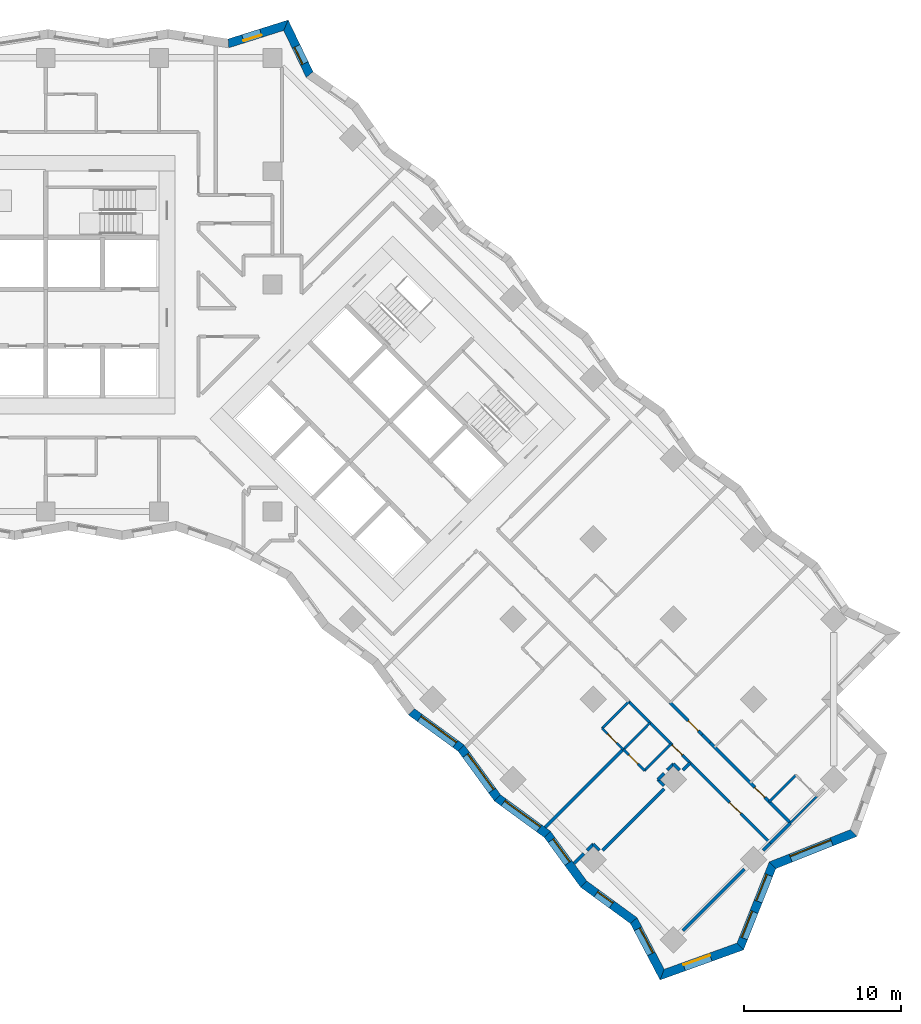
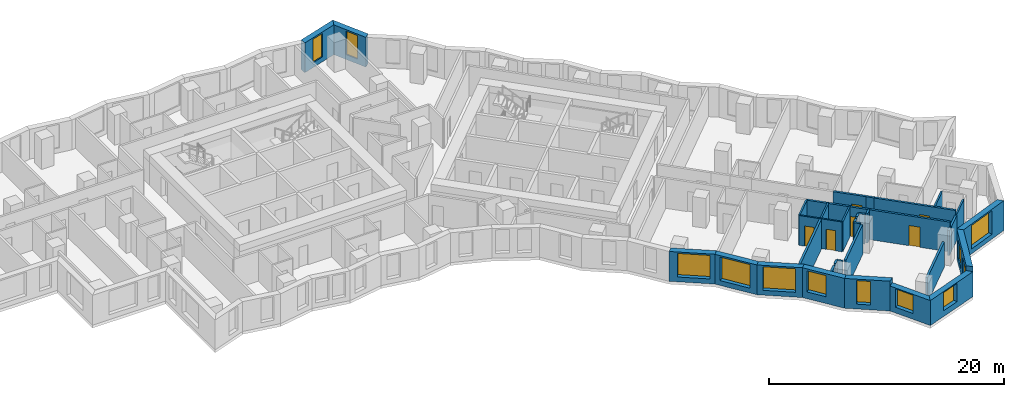
# One storey, part 7 of 12: 35 walls, 12 windows, 6 doors, 18 openings.
"""IFC4 building model written with IfcOpenShell, lengths in metres."""

from ifc_helpers import new_model, si_unit, direction, frame, frame_2d, origin, place, context, subcontext, project, spatial, polyline, rectangle, outline, extrude, material, layer, layer_set, type_object, element, fill, save


model = new_model("IFC4")

# Units and contexts
model_context = context("Model", 3, precision=1e-05, world=origin(), true_north=direction((0.0, 1.0)))
body_context = subcontext(model_context, "Body", "Model", "MODEL_VIEW")
ifc_project = project(units=[si_unit("LENGTHUNIT", "METRE"), si_unit("AREAUNIT", "SQUARE_METRE"), si_unit("VOLUMEUNIT", "CUBIC_METRE"), si_unit("PLANEANGLEUNIT", "RADIAN"), si_unit("MASSUNIT", "GRAM", prefix="KILO")], contexts=[model_context])

# Site, building, storey
site_placement = place(None, origin())
site = spatial("IfcSite", under=ifc_project, at=site_placement, CompositionType="ELEMENT")
building_placement = place(site_placement, origin())
building = spatial("IfcBuilding", under=site, at=building_placement, Name="Windrow Commons", CompositionType="ELEMENT")
storey_placement = place(building_placement, frame((0.0, 0.0, 61.0)))
storey = spatial("IfcBuildingStorey", under=building, at=storey_placement, Name="L16", CompositionType="ELEMENT", Elevation=61.0)

# Wall, opening, window
ifc_material_1 = material(Name="Brick masonry, red clay brick", Category="masonry")
ifc_layer_1 = layer(ifc_material_1, 0.55)
ifc_layer_set_1 = layer_set([ifc_layer_1], Name="Brick facade wall 550")
wall_type_1 = type_object("IfcWallType", Name="Brick facade wall 550", PredefinedType="SOLIDWALL", material=ifc_layer_set_1)
wall_1_placement = place(storey_placement, frame((103.9372, 13.7893, 0.0), z_axis=(0.0, 0.0, 1.0), x_axis=(0.9408704904, 0.3387664688, 0.0)))
wall_1 = element("IfcWall", 1, at=wall_1_placement, inside=storey, type_object=wall_type_1, Name="Brick facade wall L16 1", PredefinedType="SOLIDWALL", context=body_context, shape_type="SweptSolid", body=[
    extrude(outline(polyline([(-0.2394, -0.275), (5.3978, -0.275), (5.1499, 0.275), (0.2394, 0.275), (-0.2394, -0.275)])), origin(), (0.0, 0.0, 1.0), 2.6),
])
opening_1_placement = place(wall_1_placement, frame((1.4788, 0.0, 0.6)))
opening_1 = element("IfcOpeningElement", 2, at=opening_1_placement, cuts=wall_1, Name="Opening W1L", PredefinedType="OPENING", context=body_context, shape_type="SweptSolid", body=[
    extrude(rectangle(XDim=1.8, YDim=1.9, at=frame_2d((0.9, 0.95))), frame((0.0, 0.285, 0.0), z_axis=(0.0, -1.0, 0.0), x_axis=(1.0, 0.0, 0.0)), (0.0, 0.0, 1.0), 0.57),
])
ifc_material_2 = material(Name="Clear float glass in anodised aluminium frame", Category="aluminium")
window_type_1 = type_object("IfcWindowType", Name="Window W1L bedroom 1800x1900", PartitioningType="SINGLE_PANEL", PredefinedType="WINDOW", material=ifc_material_2)
window_1_placement = place(opening_1_placement, origin())
window_1 = element("IfcWindow", 3, at=window_1_placement, inside=storey, type_object=window_type_1, Name="Window L16 1.1", OverallHeight=1.9, OverallWidth=1.8, PartitioningType="SINGLE_PANEL", PredefinedType="WINDOW", context=body_context, shape_type="SweptSolid", body=[
    extrude(rectangle(XDim=1.8, YDim=1.9, at=frame_2d((0.9, 0.95))), frame((0.0, 0.155, 0.0), z_axis=(0.0, -1.0, 0.0), x_axis=(1.0, 0.0, 0.0)), (0.0, 0.0, 1.0), 0.06),
])
fill(opening_1, window_1)

# Wall, openings, windows
wall_2_placement = place(storey_placement, frame((108.8992, 15.5759, 0.0), z_axis=(0.0, 0.0, 1.0), x_axis=(0.3692522262, 0.9293292169, 0.0)))
wall_2 = element("IfcWall", 4, at=wall_2_placement, inside=storey, type_object=wall_type_1, Name="Brick facade wall L16 2", PredefinedType="SOLIDWALL", context=body_context, shape_type="SweptSolid", body=[
    extrude(outline(polyline([(-0.124, -0.275), (5.431, -0.275), (5.6682, 0.275), (0.124, 0.275), (-0.124, -0.275)])), origin(), (0.0, 0.0, 1.0), 3.1),
])
opening_2_placement = place(wall_2_placement, frame((0.5662, 0.0, 0.6)))
opening_2 = element("IfcOpeningElement", 5, at=opening_2_placement, cuts=wall_2, Name="Opening W1L", PredefinedType="OPENING", context=body_context, shape_type="SweptSolid", body=[
    extrude(rectangle(XDim=1.8, YDim=1.9, at=frame_2d((0.9, 0.95))), frame((0.0, 0.285, 0.0), z_axis=(0.0, -1.0, 0.0), x_axis=(1.0, 0.0, 0.0)), (0.0, 0.0, 1.0), 0.57),
])
opening_3_placement = place(wall_2_placement, frame((3.079, 0.0, 0.6)))
opening_3 = element("IfcOpeningElement", 6, at=opening_3_placement, cuts=wall_2, Name="Opening W1L", PredefinedType="OPENING", context=body_context, shape_type="SweptSolid", body=[
    extrude(rectangle(XDim=1.8, YDim=1.9, at=frame_2d((0.9, 0.95))), frame((0.0, 0.285, 0.0), z_axis=(0.0, -1.0, 0.0), x_axis=(1.0, 0.0, 0.0)), (0.0, 0.0, 1.0), 0.57),
])
window_2_placement = place(opening_2_placement, origin())
window_2 = element("IfcWindow", 7, at=window_2_placement, inside=storey, type_object=window_type_1, Name="Window L16 2.1", OverallHeight=1.9, OverallWidth=1.8, PartitioningType="SINGLE_PANEL", PredefinedType="WINDOW", context=body_context, shape_type="SweptSolid", body=[
    extrude(rectangle(XDim=1.8, YDim=1.9, at=frame_2d((0.9, 0.95))), frame((0.0, 0.155, 0.0), z_axis=(0.0, -1.0, 0.0), x_axis=(1.0, 0.0, 0.0)), (0.0, 0.0, 1.0), 0.06),
])
fill(opening_2, window_2)
window_3_placement = place(opening_3_placement, origin())
window_3 = element("IfcWindow", 8, at=window_3_placement, inside=storey, type_object=window_type_1, Name="Window L16 2.2", OverallHeight=1.9, OverallWidth=1.8, PartitioningType="SINGLE_PANEL", PredefinedType="WINDOW", context=body_context, shape_type="SweptSolid", body=[
    extrude(rectangle(XDim=1.8, YDim=1.9, at=frame_2d((0.9, 0.95))), frame((0.0, 0.155, 0.0), z_axis=(0.0, -1.0, 0.0), x_axis=(1.0, 0.0, 0.0)), (0.0, 0.0, 1.0), 0.06),
])
fill(opening_3, window_3)

# Wall, opening, window
wall_3_placement = place(storey_placement, frame((110.9484, 20.7333, 0.0), z_axis=(0.0, 0.0, 1.0), x_axis=(0.9293292169, 0.3692522262, 0.0)))
wall_3 = element("IfcWall", 9, at=wall_3_placement, inside=storey, type_object=wall_type_1, Name="Brick facade wall L16 3", PredefinedType="SOLIDWALL", context=body_context, shape_type="SweptSolid", body=[
    extrude(outline(polyline([(0.1186, -0.275), (5.6736, -0.275), (5.4257, 0.275), (-0.1186, 0.275), (0.1186, -0.275)])), origin(), (0.0, 0.0, 1.0), 3.1),
])
opening_4_placement = place(wall_3_placement, frame((1.238, 0.0, 0.5)))
opening_4 = element("IfcOpeningElement", 10, at=opening_4_placement, cuts=wall_3, Name="Opening W1T", PredefinedType="OPENING", context=body_context, shape_type="SweptSolid", body=[
    extrude(rectangle(XDim=2.8, YDim=2.45, at=frame_2d((1.4, 1.225))), frame((0.0, 0.285, 0.0), z_axis=(0.0, -1.0, 0.0), x_axis=(1.0, 0.0, 0.0)), (0.0, 0.0, 1.0), 0.57),
])
ifc_material_3 = material(Name="Clear float glass in anodised aluminium frame", Category="aluminium")
window_type_2 = type_object("IfcWindowType", Name="Window W1T bedroom 2800x2450", PartitioningType="SINGLE_PANEL", PredefinedType="WINDOW", material=ifc_material_3)
window_4_placement = place(opening_4_placement, origin())
window_4 = element("IfcWindow", 11, at=window_4_placement, inside=storey, type_object=window_type_2, Name="Window L16 3.1", OverallHeight=2.45, OverallWidth=2.8, PartitioningType="SINGLE_PANEL", PredefinedType="WINDOW", context=body_context, shape_type="SweptSolid", body=[
    extrude(rectangle(XDim=2.8, YDim=2.45, at=frame_2d((1.4, 1.225))), frame((0.0, 0.155, 0.0), z_axis=(0.0, -1.0, 0.0), x_axis=(1.0, 0.0, 0.0)), (0.0, 0.0, 1.0), 0.06),
])
fill(opening_4, window_4)

wall_4_placement = place(storey_placement, frame((81.5586, 70.9379, 0.0), z_axis=(0.0, 0.0, 1.0), x_axis=(-0.4338121581, 0.901003336, 0.0)))
wall_4 = element("IfcWall", 12, at=wall_4_placement, inside=storey, type_object=wall_type_1, Name="Brick facade wall L16 22", PredefinedType="SOLIDWALL", context=body_context, shape_type="SweptSolid", body=[
    extrude(outline(polyline([(0.0717, -0.275), (3.7134, -0.275), (3.2369, 0.275), (-0.0717, 0.275), (0.0717, -0.275)])), origin(), (0.0, 0.0, 1.0), 3.1),
])
opening_5_placement = place(wall_4_placement, frame((0.7813, 0.0, 0.5)))
opening_5 = element("IfcOpeningElement", 13, at=opening_5_placement, cuts=wall_4, Name="Opening W7D", PredefinedType="OPENING", context=body_context, shape_type="SweptSolid", body=[
    extrude(rectangle(XDim=1.2, YDim=2.45, at=frame_2d((0.6, 1.225))), frame((0.0, 0.285, 0.0), z_axis=(0.0, -1.0, 0.0), x_axis=(1.0, 0.0, 0.0)), (0.0, 0.0, 1.0), 0.57),
])
ifc_material_4 = material(Name="Clear float glass in anodised aluminium frame", Category="aluminium")
window_type_3 = type_object("IfcWindowType", Name="Window W7 notch 1200x2450", PartitioningType="SINGLE_PANEL", PredefinedType="WINDOW", material=ifc_material_4)
window_5_placement = place(opening_5_placement, origin())
window_5 = element("IfcWindow", 14, at=window_5_placement, inside=storey, type_object=window_type_3, Name="Window L16 22.1", OverallHeight=2.45, OverallWidth=1.2, PartitioningType="SINGLE_PANEL", PredefinedType="WINDOW", context=body_context, shape_type="SweptSolid", body=[
    extrude(rectangle(XDim=1.2, YDim=2.45, at=frame_2d((0.6, 1.225))), frame((0.0, 0.155, 0.0), z_axis=(0.0, -1.0, 0.0), x_axis=(1.0, 0.0, 0.0)), (0.0, 0.0, 1.0), 0.06),
])
fill(opening_5, window_5)

wall_5_placement = place(storey_placement, frame((80.051, 74.0691, 0.0), z_axis=(0.0, 0.0, 1.0), x_axis=(-0.953649035, -0.3009211159, 0.0)))
wall_5 = element("IfcWall", 15, at=wall_5_placement, inside=storey, type_object=wall_type_1, Name="Brick facade wall L16 23", PredefinedType="SOLIDWALL", context=body_context, shape_type="SweptSolid", body=[
    extrude(outline(polyline([(-0.2382, -0.275), (3.7595, -0.275), (3.889, 0.275), (0.2382, 0.275), (-0.2382, -0.275)])), origin(), (0.0, 0.0, 1.0), 3.1),
])
opening_6_placement = place(wall_5_placement, frame((1.6583, 0.0, 0.5)))
opening_6 = element("IfcOpeningElement", 16, at=opening_6_placement, cuts=wall_5, Name="Opening W7D", PredefinedType="OPENING", context=body_context, shape_type="SweptSolid", body=[
    extrude(rectangle(XDim=1.2, YDim=2.45, at=frame_2d((0.6, 1.225))), frame((0.0, 0.285, 0.0), z_axis=(0.0, -1.0, 0.0), x_axis=(1.0, 0.0, 0.0)), (0.0, 0.0, 1.0), 0.57),
])
window_6_placement = place(opening_6_placement, origin())
window_6 = element("IfcWindow", 17, at=window_6_placement, inside=storey, type_object=window_type_3, Name="Window L16 23.1", OverallHeight=2.45, OverallWidth=1.2, PartitioningType="SINGLE_PANEL", PredefinedType="WINDOW", context=body_context, shape_type="SweptSolid", body=[
    extrude(rectangle(XDim=1.2, YDim=2.45, at=frame_2d((0.6, 1.225))), frame((0.0, 0.155, 0.0), z_axis=(0.0, -1.0, 0.0), x_axis=(1.0, 0.0, 0.0)), (0.0, 0.0, 1.0), 0.06),
])
fill(opening_6, window_6)

wall_6_placement = place(storey_placement, frame((88.0177, 30.479, 0.0), z_axis=(0.0, 0.0, 1.0), x_axis=(0.8076021815, -0.589727663, 0.0)))
wall_6 = element("IfcWall", 18, at=wall_6_placement, inside=storey, type_object=wall_type_1, Name="Brick facade wall L16 58", PredefinedType="SOLIDWALL", context=body_context, shape_type="SweptSolid", body=[
    extrude(outline(polyline([(-0.0429, -0.275), (3.8714, -0.275), (3.9571, 0.275), (0.0429, 0.275), (-0.0429, -0.275)])), origin(), (0.0, 0.0, 1.0), 3.1),
])
opening_7_placement = place(wall_6_placement, frame((0.6622, 0.0, 0.5)))
opening_7 = element("IfcOpeningElement", 19, at=opening_7_placement, cuts=wall_6, Name="Opening W1T", PredefinedType="OPENING", context=body_context, shape_type="SweptSolid", body=[
    extrude(rectangle(XDim=2.8, YDim=2.45, at=frame_2d((1.4, 1.225))), frame((0.0, 0.285, 0.0), z_axis=(0.0, -1.0, 0.0), x_axis=(1.0, 0.0, 0.0)), (0.0, 0.0, 1.0), 0.57),
])
window_7_placement = place(opening_7_placement, origin())
window_7 = element("IfcWindow", 20, at=window_7_placement, inside=storey, type_object=window_type_2, Name="Window L16 58.1", OverallHeight=2.45, OverallWidth=2.8, PartitioningType="SINGLE_PANEL", PredefinedType="WINDOW", context=body_context, shape_type="SweptSolid", body=[
    extrude(rectangle(XDim=2.8, YDim=2.45, at=frame_2d((1.4, 1.225))), frame((0.0, 0.155, 0.0), z_axis=(0.0, -1.0, 0.0), x_axis=(1.0, 0.0, 0.0)), (0.0, 0.0, 1.0), 0.06),
])
fill(opening_7, window_7)

wall_7_placement = place(storey_placement, frame((91.1788, 28.1707, 0.0), z_axis=(0.0, 0.0, 1.0), x_axis=(0.5897321582, -0.807598899, 0.0)))
wall_7 = element("IfcWall", 21, at=wall_7_placement, inside=storey, type_object=wall_type_1, Name="Brick facade wall L16 59", PredefinedType="SOLIDWALL", context=body_context, shape_type="SweptSolid", body=[
    extrude(outline(polyline([(0.0429, -0.275), (3.9571, -0.275), (3.8714, 0.275), (-0.0429, 0.275), (0.0429, -0.275)])), origin(), (0.0, 0.0, 1.0), 3.1),
])
opening_8_placement = place(wall_7_placement, frame((0.5357, 0.0, 0.5)))
opening_8 = element("IfcOpeningElement", 22, at=opening_8_placement, cuts=wall_7, Name="Opening W1T", PredefinedType="OPENING", context=body_context, shape_type="SweptSolid", body=[
    extrude(rectangle(XDim=2.8, YDim=2.45, at=frame_2d((1.4, 1.225))), frame((0.0, 0.285, 0.0), z_axis=(0.0, -1.0, 0.0), x_axis=(1.0, 0.0, 0.0)), (0.0, 0.0, 1.0), 0.57),
])
window_8_placement = place(opening_8_placement, origin())
window_8 = element("IfcWindow", 23, at=window_8_placement, inside=storey, type_object=window_type_2, Name="Window L16 59.1", OverallHeight=2.45, OverallWidth=2.8, PartitioningType="SINGLE_PANEL", PredefinedType="WINDOW", context=body_context, shape_type="SweptSolid", body=[
    extrude(rectangle(XDim=2.8, YDim=2.45, at=frame_2d((1.4, 1.225))), frame((0.0, 0.155, 0.0), z_axis=(0.0, -1.0, 0.0), x_axis=(1.0, 0.0, 0.0)), (0.0, 0.0, 1.0), 0.06),
])
fill(opening_8, window_8)

wall_8_placement = place(storey_placement, frame((93.4872, 25.0095, 0.0), z_axis=(0.0, 0.0, 1.0), x_axis=(0.8076021815, -0.589727663, 0.0)))
wall_8 = element("IfcWall", 24, at=wall_8_placement, inside=storey, type_object=wall_type_1, Name="Brick facade wall L16 60", PredefinedType="SOLIDWALL", context=body_context, shape_type="SweptSolid", body=[
    extrude(outline(polyline([(-0.0429, -0.275), (3.8714, -0.275), (3.9571, 0.275), (0.0429, 0.275), (-0.0429, -0.275)])), origin(), (0.0, 0.0, 1.0), 3.1),
])
opening_9_placement = place(wall_8_placement, frame((0.4775, 0.0, 0.5)))
opening_9 = element("IfcOpeningElement", 25, at=opening_9_placement, cuts=wall_8, Name="Opening W1T", PredefinedType="OPENING", context=body_context, shape_type="SweptSolid", body=[
    extrude(rectangle(XDim=2.8, YDim=2.45, at=frame_2d((1.4, 1.225))), frame((0.0, 0.285, 0.0), z_axis=(0.0, -1.0, 0.0), x_axis=(1.0, 0.0, 0.0)), (0.0, 0.0, 1.0), 0.57),
])
window_9_placement = place(opening_9_placement, origin())
window_9 = element("IfcWindow", 26, at=window_9_placement, inside=storey, type_object=window_type_2, Name="Window L16 60.1", OverallHeight=2.45, OverallWidth=2.8, PartitioningType="SINGLE_PANEL", PredefinedType="WINDOW", context=body_context, shape_type="SweptSolid", body=[
    extrude(rectangle(XDim=2.8, YDim=2.45, at=frame_2d((1.4, 1.225))), frame((0.0, 0.155, 0.0), z_axis=(0.0, -1.0, 0.0), x_axis=(1.0, 0.0, 0.0)), (0.0, 0.0, 1.0), 0.06),
])
fill(opening_9, window_9)

wall_9_placement = place(storey_placement, frame((96.6483, 22.7012, 0.0), z_axis=(0.0, 0.0, 1.0), x_axis=(0.5897321582, -0.807598899, 0.0)))
wall_9 = element("IfcWall", 27, at=wall_9_placement, inside=storey, type_object=wall_type_1, Name="Brick facade wall L16 61", PredefinedType="SOLIDWALL", context=body_context, shape_type="SweptSolid", body=[
    extrude(outline(polyline([(0.0429, -0.275), (3.9571, -0.275), (3.8714, 0.275), (-0.0429, 0.275), (0.0429, -0.275)])), origin(), (0.0, 0.0, 1.0), 3.1),
])
opening_10_placement = place(wall_9_placement, frame((0.4548, 0.0, 0.7)))
opening_10 = element("IfcOpeningElement", 28, at=opening_10_placement, cuts=wall_9, Name="Opening W6", PredefinedType="OPENING", context=body_context, shape_type="SweptSolid", body=[
    extrude(rectangle(XDim=1.8, YDim=2.2, at=frame_2d((0.9, 1.1))), frame((0.0, 0.285, 0.0), z_axis=(0.0, -1.0, 0.0), x_axis=(1.0, 0.0, 0.0)), (0.0, 0.0, 1.0), 0.57),
])
ifc_material_5 = material(Name="Clear float glass in anodised aluminium frame", Category="aluminium")
window_type_4 = type_object("IfcWindowType", Name="Window W6 crown 1800x2200", PartitioningType="SINGLE_PANEL", PredefinedType="WINDOW", material=ifc_material_5)
window_10_placement = place(opening_10_placement, origin())
window_10 = element("IfcWindow", 29, at=window_10_placement, inside=storey, type_object=window_type_4, Name="Window L16 61.1A", OverallHeight=2.2, OverallWidth=1.8, PartitioningType="SINGLE_PANEL", PredefinedType="WINDOW", context=body_context, shape_type="SweptSolid", body=[
    extrude(rectangle(XDim=1.8, YDim=2.2, at=frame_2d((0.9, 1.1))), frame((0.0, 0.155, 0.0), z_axis=(0.0, -1.0, 0.0), x_axis=(1.0, 0.0, 0.0)), (0.0, 0.0, 1.0), 0.06),
])
fill(opening_10, window_10)

wall_10_placement = place(storey_placement, frame((98.9567, 19.54, 0.0), z_axis=(0.0, 0.0, 1.0), x_axis=(0.8076038454, -0.5897253843, 0.0)))
wall_10 = element("IfcWall", 30, at=wall_10_placement, inside=storey, type_object=wall_type_1, Name="Brick facade wall L16 62", PredefinedType="SOLIDWALL", context=body_context, shape_type="SweptSolid", body=[
    extrude(outline(polyline([(-0.0429, -0.275), (3.8714, -0.275), (3.9991, 0.275), (0.0429, 0.275), (-0.0429, -0.275)])), origin(), (0.0, 0.0, 1.0), 3.1),
])
opening_11_placement = place(wall_10_placement, frame((1.0067, 0.0, 0.5)))
opening_11 = element("IfcOpeningElement", 31, at=opening_11_placement, cuts=wall_10, Name="Opening W7D", PredefinedType="OPENING", context=body_context, shape_type="SweptSolid", body=[
    extrude(rectangle(XDim=1.2, YDim=2.45, at=frame_2d((0.6, 1.225))), frame((0.0, 0.285, 0.0), z_axis=(0.0, -1.0, 0.0), x_axis=(1.0, 0.0, 0.0)), (0.0, 0.0, 1.0), 0.57),
])
window_11_placement = place(opening_11_placement, origin())
window_11 = element("IfcWindow", 32, at=window_11_placement, inside=storey, type_object=window_type_3, Name="Window L16 62.1", OverallHeight=2.45, OverallWidth=1.2, PartitioningType="SINGLE_PANEL", PredefinedType="WINDOW", context=body_context, shape_type="SweptSolid", body=[
    extrude(rectangle(XDim=1.2, YDim=2.45, at=frame_2d((0.6, 1.225))), frame((0.0, 0.155, 0.0), z_axis=(0.0, -1.0, 0.0), x_axis=(1.0, 0.0, 0.0)), (0.0, 0.0, 1.0), 0.06),
])
fill(opening_11, window_11)

wall_11_placement = place(storey_placement, frame((102.1348, 17.2193, 0.0), z_axis=(0.0, 0.0, 1.0), x_axis=(0.4651676913, -0.8852225816, 0.0)))
wall_11 = element("IfcWall", 33, at=wall_11_placement, inside=storey, type_object=wall_type_1, Name="Brick facade wall L16 63", PredefinedType="SOLIDWALL", context=body_context, shape_type="SweptSolid", body=[
    extrude(outline(polyline([(0.0638, -0.275), (4.1141, -0.275), (3.6354, 0.275), (-0.0638, 0.275), (0.0638, -0.275)])), origin(), (0.0, 0.0, 1.0), 2.6),
])
opening_12_placement = place(wall_11_placement, frame((0.586, 0.0, 0.6)))
opening_12 = element("IfcOpeningElement", 34, at=opening_12_placement, cuts=wall_11, Name="Opening W1L", PredefinedType="OPENING", context=body_context, shape_type="SweptSolid", body=[
    extrude(rectangle(XDim=1.8, YDim=1.9, at=frame_2d((0.9, 0.95))), frame((0.0, 0.285, 0.0), z_axis=(0.0, -1.0, 0.0), x_axis=(1.0, 0.0, 0.0)), (0.0, 0.0, 1.0), 0.57),
])
window_12_placement = place(opening_12_placement, origin())
window_12 = element("IfcWindow", 35, at=window_12_placement, inside=storey, type_object=window_type_1, Name="Window L16 63.1", OverallHeight=1.9, OverallWidth=1.8, PartitioningType="SINGLE_PANEL", PredefinedType="WINDOW", context=body_context, shape_type="SweptSolid", body=[
    extrude(rectangle(XDim=1.8, YDim=1.9, at=frame_2d((0.9, 0.95))), frame((0.0, 0.155, 0.0), z_axis=(0.0, -1.0, 0.0), x_axis=(1.0, 0.0, 0.0)), (0.0, 0.0, 1.0), 0.06),
])
fill(opening_12, window_12)

# Wall, openings, doors
ifc_material_6 = material(Name="Blockwork partition", Category="masonry")
ifc_layer_2 = layer(ifc_material_6, 0.2)
ifc_layer_set_2 = layer_set([ifc_layer_2], Name="IW-CORRIDOR-200")
wall_type_2 = type_object("IfcWallType", Name="IW-CORRIDOR-200", PredefinedType="PARTITIONING", material=ifc_layer_set_2)
wall_12_placement = place(storey_placement, frame((101.8251, 31.1251, 0.0), z_axis=(0.0, 0.0, 1.0), x_axis=(0.7071067812, -0.7071067812, 0.0)))
wall_12 = element("IfcWall", 36, at=wall_12_placement, inside=storey, type_object=wall_type_2, Name="W-L16-W005", PredefinedType="PARTITIONING", context=body_context, shape_type="SweptSolid", body=[
    extrude(rectangle(XDim=12.6996, YDim=0.2, at=frame_2d((6.3498, 0.0))), origin(), (0.0, 0.0, 1.0), 3.1),
])
opening_13_placement = place(wall_12_placement, frame((3.8954, 0.0, 0.0)))
opening_13 = element("IfcOpeningElement", 37, at=opening_13_placement, cuts=wall_12, Name="Opening D109S", PredefinedType="OPENING", context=body_context, shape_type="SweptSolid", body=[
    extrude(rectangle(XDim=0.9, YDim=2.1, at=frame_2d((0.45, 1.05))), frame((0.0, 0.11, 0.0), z_axis=(0.0, -1.0, 0.0), x_axis=(1.0, 0.0, 0.0)), (0.0, 0.0, 1.0), 0.22),
])
opening_14_placement = place(wall_12_placement, frame((9.0562, 0.0, 0.0)))
opening_14 = element("IfcOpeningElement", 38, at=opening_14_placement, cuts=wall_12, Name="Opening D310F", PredefinedType="OPENING", context=body_context, shape_type="SweptSolid", body=[
    extrude(rectangle(XDim=1.0, YDim=2.1, at=frame_2d((0.5, 1.05))), frame((0.0, 0.11, 0.0), z_axis=(0.0, -1.0, 0.0), x_axis=(1.0, 0.0, 0.0)), (0.0, 0.0, 1.0), 0.22),
])
ifc_material_7 = material(Name="Timber door leaf", Category="wood")
door_type_1 = type_object("IfcDoorType", Name="DT-AMENITY-1000", OperationType="SINGLE_SWING_LEFT", PredefinedType="DOOR", material=ifc_material_7)
door_1_placement = place(opening_14_placement, origin())
door_1 = element("IfcDoor", 39, at=door_1_placement, inside=storey, type_object=door_type_1, Name="D-L16-D053", OperationType="SINGLE_SWING_RIGHT", OverallHeight=2.1, OverallWidth=1.0, PredefinedType="DOOR", context=body_context, shape_type="SweptSolid", body=[
    extrude(rectangle(XDim=1.0, YDim=2.1, at=frame_2d((0.5, 1.05))), frame((0.0, 0.025, 0.0), z_axis=(0.0, -1.0, 0.0), x_axis=(1.0, 0.0, 0.0)), (0.0, 0.0, 1.0), 0.05),
])
fill(opening_14, door_1)
ifc_material_8 = material(Name="Timber door leaf", Category="wood")
door_type_2 = type_object("IfcDoorType", Name="DT-BEDROOM-900", OperationType="SINGLE_SWING_LEFT", PredefinedType="DOOR", material=ifc_material_8)
door_2_placement = place(opening_13_placement, origin())
door_2 = element("IfcDoor", 40, at=door_2_placement, inside=storey, type_object=door_type_2, Name="D-L16-D051", OperationType="SINGLE_SWING_LEFT", OverallHeight=2.1, OverallWidth=0.9, PredefinedType="DOOR", context=body_context, shape_type="SweptSolid", body=[
    extrude(rectangle(XDim=0.9, YDim=2.1, at=frame_2d((0.45, 1.05))), frame((0.0, 0.025, 0.0), z_axis=(0.0, -1.0, 0.0), x_axis=(1.0, 0.0, 0.0)), (0.0, 0.0, 1.0), 0.05),
])
fill(opening_13, door_2)

# Wall, opening, door
wall_13_placement = place(storey_placement, frame((106.9869, 28.5089, 0.0), z_axis=(0.0, 0.0, 1.0), x_axis=(0.7071067812, -0.7071067812, 0.0)))
wall_13 = element("IfcWall", 41, at=wall_13_placement, inside=storey, type_object=wall_type_2, Name="W-L16-W021", PredefinedType="PARTITIONING", context=body_context, shape_type="SweptSolid", body=[
    extrude(rectangle(XDim=7.1983, YDim=0.2, at=frame_2d((3.5991, 0.0))), origin(), (0.0, 0.0, 1.0), 3.1),
])
opening_15_placement = place(wall_13_placement, frame((4.0038, 0.0, 0.0)))
opening_15 = element("IfcOpeningElement", 42, at=opening_15_placement, cuts=wall_13, Name="Opening D109S", PredefinedType="OPENING", context=body_context, shape_type="SweptSolid", body=[
    extrude(rectangle(XDim=0.9, YDim=2.1, at=frame_2d((0.45, 1.05))), frame((0.0, 0.11, 0.0), z_axis=(0.0, -1.0, 0.0), x_axis=(1.0, 0.0, 0.0)), (0.0, 0.0, 1.0), 0.22),
])
door_3_placement = place(opening_15_placement, origin())
door_3 = element("IfcDoor", 43, at=door_3_placement, inside=storey, type_object=door_type_2, Name="D-L16-D054", OperationType="SINGLE_SWING_RIGHT", OverallHeight=2.1, OverallWidth=0.9, PredefinedType="DOOR", context=body_context, shape_type="SweptSolid", body=[
    extrude(rectangle(XDim=0.9, YDim=2.1, at=frame_2d((0.45, 1.05))), frame((0.0, 0.025, 0.0), z_axis=(0.0, -1.0, 0.0), x_axis=(1.0, 0.0, 0.0)), (0.0, 0.0, 1.0), 0.05),
])
fill(opening_15, door_3)

wall_14_placement = place(storey_placement, frame((104.4448, 31.0588, 0.0), z_axis=(0.0, 0.0, 1.0), x_axis=(0.7074545101, -0.7067588812, 0.0)))
wall_14 = element("IfcWall", 44, at=wall_14_placement, inside=storey, type_object=wall_type_2, Name="W-L16-W064", PredefinedType="PARTITIONING", context=body_context, shape_type="SweptSolid", body=[
    extrude(rectangle(XDim=2.8751, YDim=0.2, at=frame_2d((1.4376, 0.0))), origin(), (0.0, 0.0, 1.0), 3.1),
])
opening_16_placement = place(wall_14_placement, frame((1.6264, 0.0, 0.0)))
opening_16 = element("IfcOpeningElement", 45, at=opening_16_placement, cuts=wall_14, Name="Opening D109F", PredefinedType="OPENING", context=body_context, shape_type="SweptSolid", body=[
    extrude(rectangle(XDim=0.9, YDim=2.1, at=frame_2d((0.45, 1.05))), frame((0.0, 0.11, 0.0), z_axis=(0.0, -1.0, 0.0), x_axis=(1.0, 0.0, 0.0)), (0.0, 0.0, 1.0), 0.22),
])
door_4_placement = place(opening_16_placement, origin())
door_4 = element("IfcDoor", 46, at=door_4_placement, inside=storey, type_object=door_type_2, Name="D-L16-D044", OperationType="SINGLE_SWING_RIGHT", OverallHeight=2.1, OverallWidth=0.9, PredefinedType="DOOR", context=body_context, shape_type="SweptSolid", body=[
    extrude(rectangle(XDim=0.9, YDim=2.1, at=frame_2d((0.45, 1.05))), frame((0.0, 0.025, 0.0), z_axis=(0.0, -1.0, 0.0), x_axis=(1.0, 0.0, 0.0)), (0.0, 0.0, 1.0), 0.05),
])
fill(opening_16, door_4)

# Walls
wall_15_placement = place(storey_placement, frame((110.8109, 22.1451, 0.0), z_axis=(0.0, 0.0, 1.0), x_axis=(0.7065510983, 0.7076620277, 0.0)))
element("IfcWall", 47, at=wall_15_placement, inside=storey, type_object=wall_type_2, Name="W-L16-W130", PredefinedType="PARTITIONING", context=body_context, shape_type="SweptSolid", body=[
    extrude(rectangle(XDim=1.8003, YDim=0.2, at=frame_2d((0.9002, 0.0))), origin(), (0.0, 0.0, 1.0), 2.6),
])
wall_16_placement = place(storey_placement, frame((106.4763, 29.0243, 0.0), z_axis=(0.0, 0.0, 1.0), x_axis=(0.7057270646, -0.7084838109, 0.0)))
element("IfcWall", 48, at=wall_16_placement, inside=storey, type_object=wall_type_2, Name="W-L16-W150", PredefinedType="PARTITIONING", context=body_context, shape_type="SweptSolid", body=[
    extrude(rectangle(XDim=0.7255, YDim=0.2, at=frame_2d((0.3628, 0.0))), origin(), (0.0, 0.0, 1.0), 3.1),
])
ifc_material_9 = material(Name="Blockwork partition", Category="masonry")
ifc_layer_3 = layer(ifc_material_9, 0.15)
ifc_layer_set_3 = layer_set([ifc_layer_3], Name="IW-ENSUITE-150")
wall_type_3 = type_object("IfcWallType", Name="IW-ENSUITE-150", PredefinedType="PARTITIONING", material=ifc_layer_set_3)
wall_17_placement = place(storey_placement, frame((100.1293, 29.4327, 0.0), z_axis=(0.0, 0.0, 1.0), x_axis=(0.7071067812, 0.7071067812, 0.0)))
element("IfcWall", 49, at=wall_17_placement, inside=storey, type_object=wall_type_3, Name="W-L16-W073", PredefinedType="PARTITIONING", context=body_context, shape_type="SweptSolid", body=[
    extrude(rectangle(XDim=2.4013, YDim=0.15, at=frame_2d((1.2006, 0.0))), origin(), (0.0, 0.0, 1.0), 3.1),
])
wall_18_placement = place(storey_placement, frame((112.077, 23.425, 0.0), z_axis=(0.0, 0.0, 1.0), x_axis=(0.7075233388, 0.706689978, 0.0)))
element("IfcWall", 50, at=wall_18_placement, inside=storey, type_object=wall_type_3, Name="W-L16-W101", PredefinedType="PARTITIONING", context=body_context, shape_type="SweptSolid", body=[
    extrude(rectangle(XDim=2.3999, YDim=0.15, at=frame_2d((1.2, 0.0))), origin(), (0.0, 0.0, 1.0), 2.6),
])
for number, where, z_axis, x_axis, name in (
    (51, (101.477, 28.085, 0.0), (0.0, 0.0, 1.0), (0.706689978, 0.7075233388, 0.0), "W-L16-W102"),
    (52, (110.7335, 24.7685, 0.0), (0.0, 0.0, 1.0), (0.7075233388, 0.706689978, 0.0), "W-L16-W105"),
):
    element("IfcWall", number, at=place(storey_placement, frame(where, z_axis=z_axis, x_axis=x_axis)), inside=storey, type_object=wall_type_3, Name=name, PredefinedType="PARTITIONING", context=body_context, shape_type="SweptSolid", body=[
        extrude(rectangle(XDim=2.3999, YDim=0.15, at=frame_2d((1.2, 0.0))), origin(), (0.0, 0.0, 1.0), 3.1),
    ])
wall_19_placement = place(storey_placement, frame((102.8173, 26.7467, 0.0), z_axis=(0.0, 0.0, 1.0), x_axis=(0.7071067812, 0.7071067812, 0.0)))
element("IfcWall", 53, at=wall_19_placement, inside=storey, type_object=wall_type_3, Name="W-L16-W107", PredefinedType="PARTITIONING", context=body_context, shape_type="SweptSolid", body=[
    extrude(rectangle(XDim=2.3985, YDim=0.15, at=frame_2d((1.1992, 0.0))), origin(), (0.0, 0.0, 1.0), 3.1),
])

# Wall, opening, door
wall_20_placement = place(storey_placement, frame((100.1271, 29.4291, 0.0), z_axis=(0.0, 0.0, 1.0), x_axis=(0.7071067812, -0.7071067812, 0.0)))
wall_20 = element("IfcWall", 54, at=wall_20_placement, inside=storey, type_object=wall_type_3, Name="W-L16-W114", PredefinedType="PARTITIONING", context=body_context, shape_type="SweptSolid", body=[
    extrude(rectangle(XDim=1.9007, YDim=0.15, at=frame_2d((0.9504, 0.0))), origin(), (0.0, 0.0, 1.0), 3.1),
])
opening_17_placement = place(wall_20_placement, frame((0.5077, 0.0, 0.0)))
opening_17 = element("IfcOpeningElement", 55, at=opening_17_placement, cuts=wall_20, Name="Opening D208N", PredefinedType="OPENING", context=body_context, shape_type="SweptSolid", body=[
    extrude(rectangle(XDim=0.8, YDim=2.1, at=frame_2d((0.4, 1.05))), frame((0.0, 0.085, 0.0), z_axis=(0.0, -1.0, 0.0), x_axis=(1.0, 0.0, 0.0)), (0.0, 0.0, 1.0), 0.17),
])
ifc_material_10 = material(Name="Timber door leaf", Category="wood")
door_type_3 = type_object("IfcDoorType", Name="DT-ENSUITE-800", OperationType="SINGLE_SWING_LEFT", PredefinedType="DOOR", material=ifc_material_10)
door_5_placement = place(opening_17_placement, origin())
door_5 = element("IfcDoor", 56, at=door_5_placement, inside=storey, type_object=door_type_3, Name="D-L16-D050", OperationType="SINGLE_SWING_RIGHT", OverallHeight=2.1, OverallWidth=0.8, PredefinedType="DOOR", context=body_context, shape_type="SweptSolid", body=[
    extrude(rectangle(XDim=0.8, YDim=2.1, at=frame_2d((0.4, 1.05))), frame((0.0, 0.025, 0.0), z_axis=(0.0, -1.0, 0.0), x_axis=(1.0, 0.0, 0.0)), (0.0, 0.0, 1.0), 0.05),
])
fill(opening_17, door_5)

wall_21_placement = place(storey_placement, frame((101.4772, 28.0912, 0.0), z_axis=(0.0, 0.0, 1.0), x_axis=(0.7076330979, -0.7065800724, 0.0)))
wall_21 = element("IfcWall", 57, at=wall_21_placement, inside=storey, type_object=wall_type_3, Name="W-L16-W127", PredefinedType="PARTITIONING", context=body_context, shape_type="SweptSolid", body=[
    extrude(rectangle(XDim=1.8993, YDim=0.15, at=frame_2d((0.9496, 0.0))), origin(), (0.0, 0.0, 1.0), 3.1),
])
opening_18_placement = place(wall_21_placement, frame((0.5015, 0.0, 0.0)))
opening_18 = element("IfcOpeningElement", 58, at=opening_18_placement, cuts=wall_21, Name="Opening D208N", PredefinedType="OPENING", context=body_context, shape_type="SweptSolid", body=[
    extrude(rectangle(XDim=0.8, YDim=2.1, at=frame_2d((0.4, 1.05))), frame((0.0, 0.085, 0.0), z_axis=(0.0, -1.0, 0.0), x_axis=(1.0, 0.0, 0.0)), (0.0, 0.0, 1.0), 0.17),
])
door_6_placement = place(opening_18_placement, origin())
door_6 = element("IfcDoor", 59, at=door_6_placement, inside=storey, type_object=door_type_3, Name="D-L16-D052", OperationType="SINGLE_SWING_RIGHT", OverallHeight=2.1, OverallWidth=0.8, PredefinedType="DOOR", context=body_context, shape_type="SweptSolid", body=[
    extrude(rectangle(XDim=0.8, YDim=2.1, at=frame_2d((0.4, 1.05))), frame((0.0, 0.025, 0.0), z_axis=(0.0, -1.0, 0.0), x_axis=(1.0, 0.0, 0.0)), (0.0, 0.0, 1.0), 0.05),
])
fill(opening_18, door_6)

# Walls
ifc_material_11 = material(Name="Blockwork partition", Category="masonry")
ifc_layer_4 = layer(ifc_material_11, 0.2)
ifc_layer_set_4 = layer_set([ifc_layer_4], Name="IW-PARTY-200")
wall_type_4 = type_object("IfcWallType", Name="IW-PARTY-200", PredefinedType="PARTITIONING", material=ifc_layer_set_4)
wall_22_placement = place(storey_placement, frame((96.5194, 23.1358, 0.0), z_axis=(0.0, 0.0, 1.0), x_axis=(0.7071067812, 0.7071067812, 0.0)))
element("IfcWall", 60, at=wall_22_placement, inside=storey, type_object=wall_type_4, Name="W-L16-W025", PredefinedType="PARTITIONING", context=body_context, shape_type="SweptSolid", body=[
    extrude(rectangle(XDim=7.0052, YDim=0.2, at=frame_2d((3.5026, 0.0))), origin(), (0.0, 0.0, 1.0), 3.1),
])
wall_23_placement = place(storey_placement, frame((100.1634, 21.6886, 0.0), z_axis=(0.0, 0.0, 1.0), x_axis=(0.7071067812, 0.7071067812, 0.0)))
element("IfcWall", 61, at=wall_23_placement, inside=storey, type_object=wall_type_4, Name="W-L16-W033", PredefinedType="PARTITIONING", context=body_context, shape_type="SweptSolid", body=[
    extrude(rectangle(XDim=5.5041, YDim=0.2, at=frame_2d((2.7521, 0.0))), origin(), (0.0, 0.0, 1.0), 3.1),
])
wall_24_placement = place(storey_placement, frame((105.257, 16.597, 0.0), z_axis=(0.0, 0.0, 1.0), x_axis=(0.7072884866, 0.706925029, 0.0)))
element("IfcWall", 62, at=wall_24_placement, inside=storey, type_object=wall_type_4, Name="W-L16-W034", PredefinedType="PARTITIONING", context=body_context, shape_type="SweptSolid", body=[
    extrude(rectangle(XDim=5.5027, YDim=0.2, at=frame_2d((2.7513, 0.0))), origin(), (0.0, 0.0, 1.0), 2.6),
])
wall_25_placement = place(storey_placement, frame((98.3382, 20.8534, 0.0), z_axis=(0.0, 0.0, 1.0), x_axis=(0.7071067812, 0.7071067812, 0.0)))
element("IfcWall", 63, at=wall_25_placement, inside=storey, type_object=wall_type_4, Name="W-L16-W149", PredefinedType="PARTITIONING", context=body_context, shape_type="SweptSolid", body=[
    extrude(rectangle(XDim=0.8842, YDim=0.2, at=frame_2d((0.4421, 0.0))), origin(), (0.0, 0.0, 1.0), 3.1),
])
wall_26_placement = place(storey_placement, frame((110.3465, 21.6895, 0.0), z_axis=(0.0, 0.0, 1.0), x_axis=(0.7071067812, 0.7071067812, 0.0)))
element("IfcWall", 64, at=wall_26_placement, inside=storey, type_object=wall_type_4, Name="W-L16-W154", PredefinedType="PARTITIONING", context=body_context, shape_type="SweptSolid", body=[
    extrude(rectangle(XDim=0.6505, YDim=0.2, at=frame_2d((0.3252, 0.0))), origin(), (0.0, 0.0, 1.0), 2.6),
])
wall_27_placement = place(storey_placement, frame((105.2554, 26.7806, 0.0), z_axis=(0.0, 0.0, 1.0), x_axis=(0.7071067812, 0.7071067812, 0.0)))
element("IfcWall", 65, at=wall_27_placement, inside=storey, type_object=wall_type_4, Name="W-L16-W155", PredefinedType="PARTITIONING", context=body_context, shape_type="SweptSolid", body=[
    extrude(rectangle(XDim=0.6505, YDim=0.2, at=frame_2d((0.3252, 0.0))), origin(), (0.0, 0.0, 1.0), 3.1),
])
for number, where, z_axis, x_axis, name in (
    (66, (99.5683, 22.0823, 0.0), (0.0, 0.0, 1.0), (0.7071067812, -0.7071067812, 0.0), "W-L16-W156"),
    (67, (99.1734, 21.6886, 0.0), (0.0, 0.0, 1.0), (0.7071067812, 0.7071067812, 0.0), "W-L16-W157"),
    (68, (103.6614, 26.1766, 0.0), (0.0, 0.0, 1.0), (0.7071067812, 0.7071067812, 0.0), "W-L16-W158"),
    (69, (103.6625, 26.1765, 0.0), (0.0, 0.0, 1.0), (0.7071067812, -0.7071067812, 0.0), "W-L16-W159"),
):
    element("IfcWall", number, at=place(storey_placement, frame(where, z_axis=z_axis, x_axis=x_axis)), inside=storey, type_object=wall_type_4, Name=name, PredefinedType="PARTITIONING", context=body_context, shape_type="SweptSolid", body=[
        extrude(rectangle(XDim=0.5572, YDim=0.2, at=frame_2d((0.2786, 0.0))), origin(), (0.0, 0.0, 1.0), 3.1),
    ])
wall_28_placement = place(storey_placement, frame((104.2625, 26.7835, 0.0), z_axis=(0.0, 0.0, 1.0), x_axis=(0.7089037401, 0.705305244, 0.0)))
element("IfcWall", 70, at=wall_28_placement, inside=storey, type_object=wall_type_4, Name="W-L16-W160", PredefinedType="PARTITIONING", context=body_context, shape_type="SweptSolid", body=[
    extrude(rectangle(XDim=0.5558, YDim=0.2, at=frame_2d((0.2779, 0.0))), origin(), (0.0, 0.0, 1.0), 3.1),
])
wall_29_placement = place(storey_placement, frame((104.6605, 27.1725, 0.0), z_axis=(0.0, 0.0, 1.0), x_axis=(0.7071067812, -0.7071067812, 0.0)))
element("IfcWall", 71, at=wall_29_placement, inside=storey, type_object=wall_type_4, Name="W-L16-W161", PredefinedType="PARTITIONING", context=body_context, shape_type="SweptSolid", body=[
    extrude(rectangle(XDim=0.5544, YDim=0.2, at=frame_2d((0.2772, 0.0))), origin(), (0.0, 0.0, 1.0), 3.1),
])

save(model, "model.ifc")
